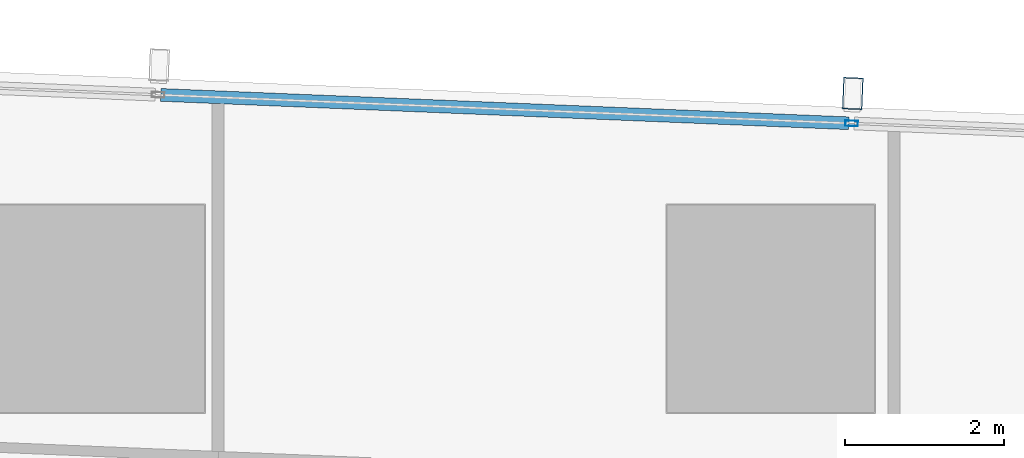
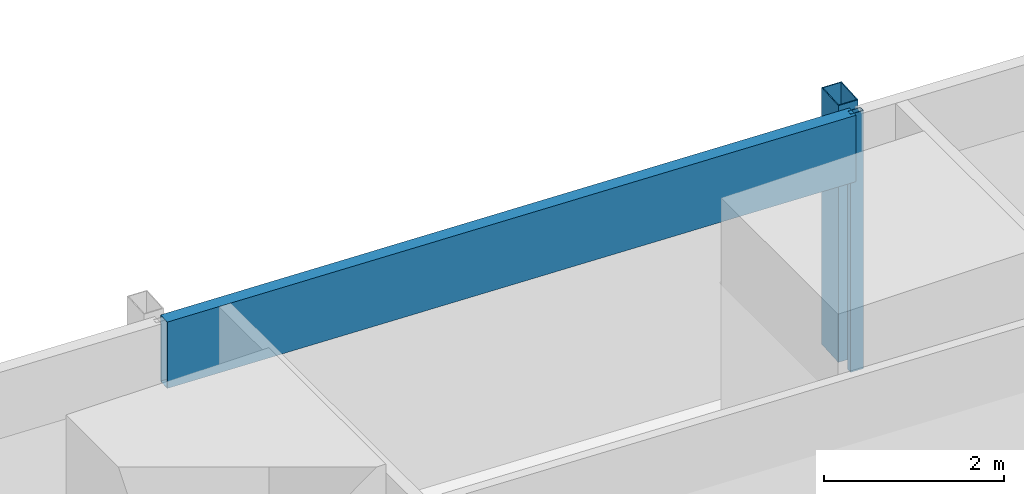
# One storey, part 22 of 46: 3 members, 1 element without a shape of its own.
"""IFC4 building model written with IfcOpenShell, lengths in metres."""

from ifc_helpers import new_model, si_unit, direction, frame, origin, origin_2d, place, context, subcontext, project, spatial, hollow_rectangle, extrude, material, material_profile, profile_set, type_object, element, aggregate, save


model = new_model("IFC4")

# Units and contexts
model_context = context("Model", 3, precision=1e-05, world=origin(), true_north=direction((0.0, 1.0)))
body_context = subcontext(model_context, "Body", "Model", "MODEL_VIEW")
ifc_project = project(units=[si_unit("LENGTHUNIT", "METRE"), si_unit("AREAUNIT", "SQUARE_METRE"), si_unit("VOLUMEUNIT", "CUBIC_METRE"), si_unit("PLANEANGLEUNIT", "RADIAN"), si_unit("MASSUNIT", "GRAM", prefix="KILO")], contexts=[model_context])

# Site, building, storey
site_placement = place(None, origin())
site = spatial("IfcSite", under=ifc_project, at=site_placement, CompositionType="ELEMENT")
building_placement = place(site_placement, origin())
building = spatial("IfcBuilding", under=site, at=building_placement, Name="Rekha Terrace Tower", CompositionType="ELEMENT")
storey_placement = place(building_placement, frame((0.0, 0.0, 29.14990234375)))
storey = spatial("IfcBuildingStorey", under=building, at=storey_placement, Name="L06", CompositionType="ELEMENT", Elevation=29.14990234375)

# Curtain wall, members
ifc_material_1 = material(Name="Aluminium framing", Category="aluminium")
curtain_wall_type = type_object("IfcCurtainWallType", Name="CW3 north unitised glazing", PredefinedType="USERDEFINED", material=ifc_material_1)
curtain_wall_placement = place(storey_placement, origin())
curtain_wall = element("IfcCurtainWall", 1, at=curtain_wall_placement, inside=storey, type_object=curtain_wall_type, Name="CW3 unitised curtain wall", ObjectType="UNITISED CURTAIN WALL", PredefinedType="USERDEFINED")
ifc_material_2 = material(Name="Steel S355 with fluorocarbon finish", Category="steel")
ifc_material_profile_1 = material_profile(ifc_material_2, hollow_rectangle(XDim=0.25, YDim=0.39990234375, WallThickness=0.012451171875, at=origin_2d()), Name="RHS400x250x12.5")
ifc_profile_set_1 = profile_set([ifc_material_profile_1], Name="Steel S355 with fluorocarbon finish")
member_type_1 = type_object("IfcMemberType", Name="BL1 facade blade RHS 400 x 250", PredefinedType="USERDEFINED", material=ifc_profile_set_1)
member_1_placement = place(storey_placement, frame((51.430419921875, 61.499267578125, 0.02001953125), z_axis=(0.0, 0.0, 1.0), x_axis=(-0.99915196507, 0.041174636562, 0.0)))
member_1 = element("IfcMember", 2, at=member_1_placement, type_object=member_type_1, Name="Facade blade", ObjectType="FACADE BLADE", PredefinedType="USERDEFINED", context=body_context, shape_type="SweptSolid", body=[
    extrude(hollow_rectangle(XDim=0.25, YDim=0.39990234375, WallThickness=0.012451171875, at=origin_2d()), origin(), (0.0, 0.0, 1.0), 3.47998046875),
])
ifc_material_3 = material(Name="Aluminium mullion section", Category="aluminium")
ifc_material_profile_2 = material_profile(ifc_material_3, hollow_rectangle(XDim=0.070068359375, YDim=0.159912109375, WallThickness=0.00390625, at=origin_2d()), Name="AL RHS 70x160")
ifc_profile_set_2 = profile_set([ifc_material_profile_2], Name="Aluminium mullion section")
member_type_2 = type_object("IfcMemberType", Name="CW3 mullion RHS 70 x 160", PredefinedType="MULLION", material=ifc_profile_set_2)
member_2_placement = place(storey_placement, frame((51.4150390625, 61.12451171875, 0.0), z_axis=(0.0, 0.0, 1.0), x_axis=(-0.041173846041, -0.999151997647, 0.0)))
member_2 = element("IfcMember", 3, at=member_2_placement, type_object=member_type_2, Name="CW3 mullion 3", PredefinedType="MULLION", context=body_context, shape_type="SweptSolid", body=[
    extrude(hollow_rectangle(XDim=0.070068359375, YDim=0.159912109375, WallThickness=0.00390625, at=origin_2d()), origin(), (0.0, 0.0, 1.0), 3.5),
])
ifc_material_4 = material(Name="Insulated aluminium spandrel box", Category="aluminium")
ifc_material_profile_3 = material_profile(ifc_material_4, hollow_rectangle(XDim=0.159912109375, YDim=0.89990234375, WallThickness=0.0029296875, at=origin_2d()), Name="AL SPANDREL BOX 160x900")
ifc_profile_set_3 = profile_set([ifc_material_profile_3], Name="Insulated aluminium spandrel box")
member_type_3 = type_object("IfcMemberType", Name="CW3 spandrel transom 160 x 900", PredefinedType="USERDEFINED", material=ifc_profile_set_3)
member_3_placement = place(storey_placement, frame((51.380126953125, 61.1259765625, 3.050048828125), z_axis=(-0.999152128669, 0.041170666459, 0.0), x_axis=(-0.041170666459, -0.999152128669, 0.0)))
member_3 = element("IfcMember", 4, at=member_3_placement, type_object=member_type_3, Name="CW3 spandrel transom 3", ObjectType="TRANSOM", PredefinedType="USERDEFINED", context=body_context, shape_type="SweptSolid", body=[
    extrude(hollow_rectangle(XDim=0.159912109375, YDim=0.89990234375, WallThickness=0.0029296875, at=origin_2d()), origin(), (0.0, 0.0, 1.0), 8.634033203125),
])
aggregate(curtain_wall, [member_2, member_3, member_1])

save(model, "model.ifc")
